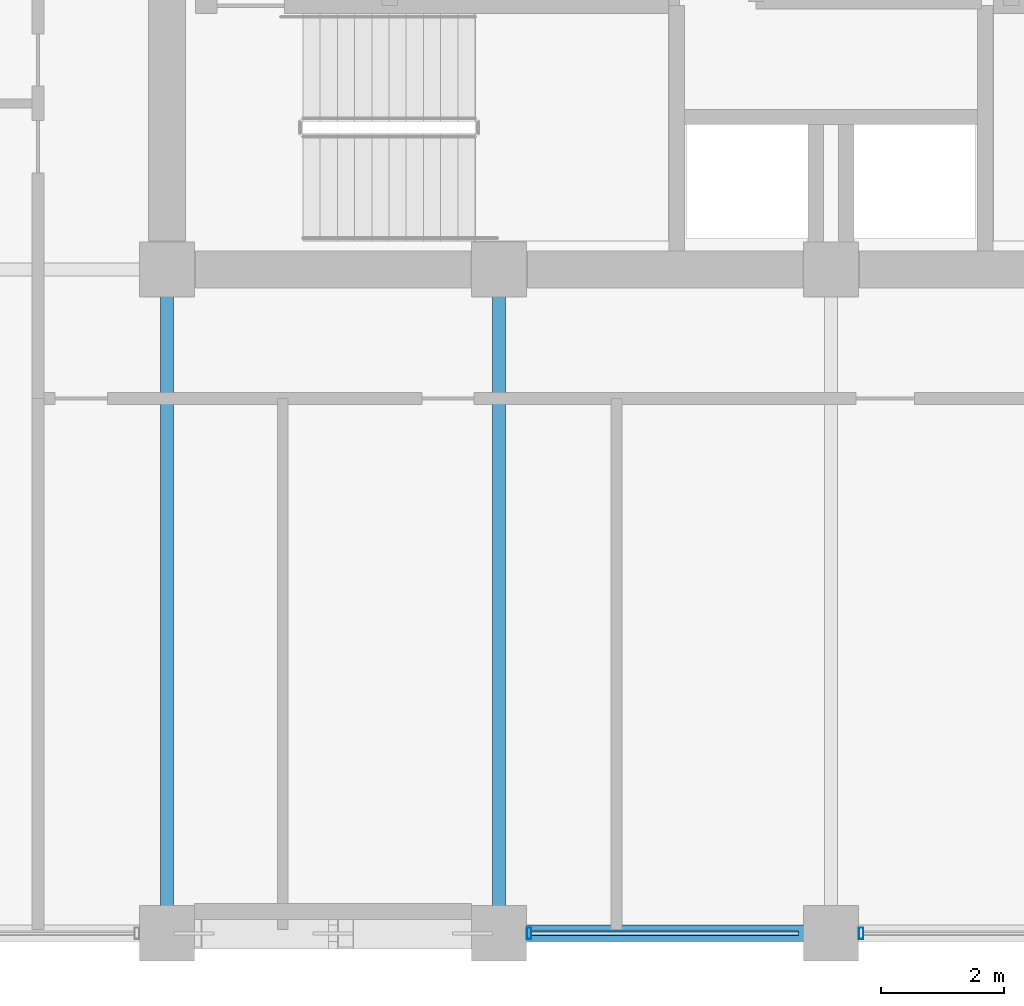
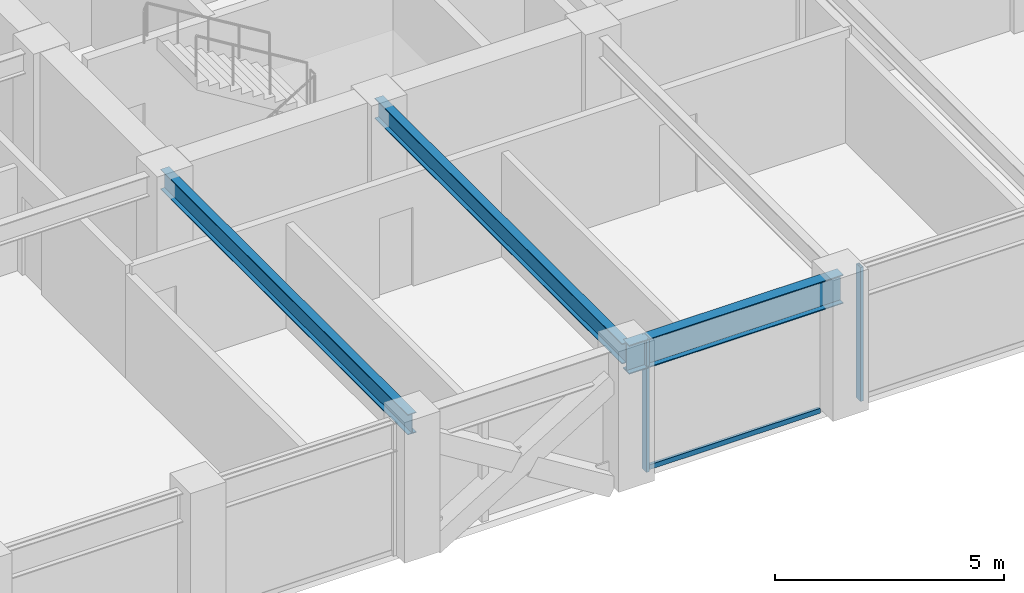
# One storey, part 6 of 32: 3 beams, 3 members, 1 element without a shape of its own.
"""IFC4 building model written with IfcOpenShell, lengths in metres."""

import ifcopenshell
import ifcopenshell.guid

model = None  # the IFC model being written
_history = None  # IfcOwnerHistory: only IFC2X3 demands one
_inside = {}  # id of a spatial element -> (the spatial element, [elements in it])
_under = {}  # id of a project, library or spatial element -> (it, [spatial elements below it])
_declared = {}  # id of a project -> (the project, [libraries it declares])
_typed = {}  # id of a type object -> (the type object, [elements of that type])
_made_of = {}  # id of a material, layer set ... -> (it, [elements and type objects made of it])


def new_model(schema):
    """Start an empty IFC model of exactly this schema.

    Asked for "IFC4X3", IfcOpenShell would pick the latest addendum, in which some entities
    have other attributes; the version numbers below select the first issue.
    IFC2X3 requires an IfcOwnerHistory on every rooted entity: one is made here for all.
    """
    global model, _history
    if schema == "IFC4X3":
        model = ifcopenshell.file(schema_version=(4, 3, 0, 0))
    else:
        model = ifcopenshell.file(schema=schema)
    _inside.clear()
    _under.clear()
    _declared.clear()
    _typed.clear()
    _made_of.clear()
    _history = None
    if model.schema == "IFC2X3":
        org = make("IfcOrganization", Name="unknown")
        user = make(
            "IfcPersonAndOrganization",
            ThePerson=make("IfcPerson", FamilyName="unknown"),
            TheOrganization=org,
        )
        app = make(
            "IfcApplication",
            ApplicationDeveloper=org,
            Version="unknown",
            ApplicationFullName="unknown",
            ApplicationIdentifier="unknown",
        )
        _history = make(
            "IfcOwnerHistory",
            OwningUser=user,
            OwningApplication=app,
            ChangeAction="ADDED",
            CreationDate=0,
        )
    return model


def make(cls, **values):
    """One entity of the class cls with the attributes given. An attribute that is None is left unset."""
    return model.create_entity(
        cls, **{name: value for name, value in values.items() if value is not None}
    )


def rooted(cls, **values):
    """An entity with a GlobalId (a new one), such as an element, a storey or a relation."""
    return make(cls, GlobalId=ifcopenshell.guid.new(), OwnerHistory=_history, **values)


def si_unit(unit_type, name, prefix=None):
    """IfcSIUnit, for example si_unit("LENGTHUNIT", "METRE", prefix="MILLI")."""
    return make("IfcSIUnit", UnitType=unit_type, Prefix=prefix, Name=name)


def assignment(units):
    """IfcUnitAssignment: the units of a project."""
    return None if units is None else make("IfcUnitAssignment", Units=units)


def point(xyz):
    """IfcCartesianPoint."""
    return None if xyz is None else make("IfcCartesianPoint", Coordinates=xyz)


def direction(xyz):
    """IfcDirection."""
    return None if xyz is None else make("IfcDirection", DirectionRatios=xyz)


def frame(location, z_axis=None, x_axis=None):
    """IfcAxis2Placement3D, a coordinate frame: its origin and axes. An axis left out is left unset."""
    return make(
        "IfcAxis2Placement3D",
        Location=point(location),
        Axis=direction(z_axis),
        RefDirection=direction(x_axis),
    )


def frame_2d(location, x_axis=None):
    """IfcAxis2Placement2D, a coordinate frame in the plane: its origin and x axis."""
    return make(
        "IfcAxis2Placement2D", Location=point(location), RefDirection=direction(x_axis)
    )


def origin():
    """The frame at (0, 0, 0) with its axes left unset."""
    return frame((0.0, 0.0, 0.0))


def origin_2d():
    """The frame at (0, 0) in the plane with its x axis left unset."""
    return frame_2d((0.0, 0.0))


def place(relative_to, where):
    """IfcLocalPlacement: puts the frame where relative to a parent placement (None: the world)."""
    return make(
        "IfcLocalPlacement", PlacementRelTo=relative_to, RelativePlacement=where
    )


def context(
    kind, dimensions, precision=None, world=None, true_north=None, identifier=None
):
    """IfcGeometricRepresentationContext, for example the 3D "Model" context."""
    return make(
        "IfcGeometricRepresentationContext",
        ContextIdentifier=identifier,
        ContextType=kind,
        CoordinateSpaceDimension=dimensions,
        Precision=precision,
        WorldCoordinateSystem=world,
        TrueNorth=true_north,
    )


def subcontext(parent, identifier, kind, view, scale=None):
    """IfcGeometricRepresentationSubContext, for example "Body" below "Model"."""
    return make(
        "IfcGeometricRepresentationSubContext",
        ContextIdentifier=identifier,
        ContextType=kind,
        ParentContext=parent,
        TargetScale=scale,
        TargetView=view,
    )


def project(units=None, contexts=None):
    """IfcProject with its units and contexts."""
    return rooted(
        "IfcProject",
        Name="project",
        RepresentationContexts=contexts,
        UnitsInContext=assignment(units),
    )


def spatial(cls, under=None, at=None, **own):
    """A site, building, storey or space (cls), placed at a placement, below another one or the project."""
    s = rooted(cls, ObjectPlacement=at, **own)
    if under is not None:
        _under.setdefault(under.id(), (under, []))[1].append(s)
    return s


def profile(cls, at=None, kind="AREA", **sizes):
    """A parametric profile (cls). Its sizes go by their IFC names, for example OverallWidth=200.0."""
    return make(cls, ProfileType=kind, Position=at, **sizes)


def hollow_rectangle(**sizes):
    """IfcRectangleHollowProfileDef."""
    return profile("IfcRectangleHollowProfileDef", **sizes)


def i_section(**sizes):
    """IfcIShapeProfileDef."""
    return profile("IfcIShapeProfileDef", **sizes)


def extrude(swept, where, along, depth):
    """IfcExtrudedAreaSolid: the profile swept, set in the frame where, extruded along a direction by depth."""
    return make(
        "IfcExtrudedAreaSolid",
        SweptArea=swept,
        Position=where,
        ExtrudedDirection=direction(along),
        Depth=depth,
    )


def shape(context_of_items, identifier, shape_type, items):
    """IfcShapeRepresentation: the items that make up one representation, for example the "Body"."""
    return make(
        "IfcShapeRepresentation",
        ContextOfItems=context_of_items,
        RepresentationIdentifier=identifier,
        RepresentationType=shape_type,
        Items=items,
    )


def material(Name=None, Category=None):
    """IfcMaterial."""
    return make("IfcMaterial", Name=Name, Category=Category)


def layer(
    of_material, thickness, ventilated=None, Name=None, Category=None, Priority=None
):
    """IfcMaterialLayer: one layer of a wall or slab, of a material (None: an air gap)."""
    return make(
        "IfcMaterialLayer",
        Material=of_material,
        LayerThickness=thickness,
        IsVentilated=ventilated,
        Name=Name,
        Category=Category,
        Priority=Priority,
    )


def layer_set(layers, Name=None):
    """IfcMaterialLayerSet."""
    return make("IfcMaterialLayerSet", MaterialLayers=layers, LayerSetName=Name)


def material_profile(
    of_material, cross_section, Name=None, Category=None, Priority=None
):
    """IfcMaterialProfile: a cross section and its material."""
    return make(
        "IfcMaterialProfile",
        Name=Name,
        Material=of_material,
        Profile=cross_section,
        Priority=Priority,
        Category=Category,
    )


def profile_set(profiles, Name=None, composite=None):
    """IfcMaterialProfileSet."""
    return make(
        "IfcMaterialProfileSet",
        Name=Name,
        MaterialProfiles=profiles,
        CompositeProfile=composite,
    )


def made_of(thing, what):
    """Note that an element or type object is made of a material, layer set ...; save() writes the relation."""
    if what is not None:
        _made_of.setdefault(what.id(), (what, []))[1].append(thing)
    return thing


def type_object(cls, material=None, **own):
    """A type object (cls), such as IfcWallType, which elements share."""
    return made_of(rooted(cls, **own), material)


def element(
    cls,
    number,
    at=None,
    inside=None,
    cuts=None,
    type_object=None,
    material=None,
    context=None,
    identifier="Body",
    shape_type=None,
    held_by="IfcProductDefinitionShape",
    body=None,
    shapes=None,
    **own,
):
    """One element of the class cls, such as IfcWall. Its Tag is "e" and its number.

    at: its placement. inside: the storey or other place that contains it. cuts: it is an
    opening in that element (IfcRelVoidsElement). A single representation is given by context,
    identifier, shape_type and body (its items); several are given by shapes. held_by: the class
    of the entity that holds the representations. save() writes the other relations.
    """
    e = rooted(cls, Tag="e%d" % number, ObjectPlacement=at, **own)
    if body is not None:
        shapes = [shape(context, identifier, shape_type, body)]
    if shapes is not None:
        e.Representation = make(held_by, Representations=shapes)
    if inside is not None:
        _inside.setdefault(inside.id(), (inside, []))[1].append(e)
    if cuts is not None:
        rooted(
            "IfcRelVoidsElement", RelatingBuildingElement=cuts, RelatedOpeningElement=e
        )
    if type_object is not None:
        _typed.setdefault(type_object.id(), (type_object, []))[1].append(e)
    return made_of(e, material)


def aggregate(whole, parts):
    """IfcRelAggregates: a whole, such as a stair, and the parts it consists of."""
    return rooted("IfcRelAggregates", RelatingObject=whole, RelatedObjects=parts)


def save(model, path):
    """Write the relations noted so far, then the file.

    IfcRelAggregates (storeys below a building ...), IfcRelContainedInSpatialStructure (elements
    in a storey), IfcRelDefinesByType, IfcRelAssociatesMaterial and IfcRelDeclares: one each for
    every whole, place, type object, material and project.
    """
    for whole, parts in _under.values():
        aggregate(whole, parts)
    for where, things in _inside.values():
        rooted(
            "IfcRelContainedInSpatialStructure",
            RelatedElements=things,
            RelatingStructure=where,
        )
    for kind, things in _typed.values():
        rooted("IfcRelDefinesByType", RelatedObjects=things, RelatingType=kind)
    for what, things in _made_of.values():
        rooted("IfcRelAssociatesMaterial", RelatedObjects=things, RelatingMaterial=what)
    for by, libraries in _declared.values():
        rooted("IfcRelDeclares", RelatingContext=by, RelatedDefinitions=libraries)
    model.write(path)


model = new_model("IFC4")

# Units and contexts
model_context = context("Model", 3, precision=1e-05, world=origin(), true_north=direction((0.0, 1.0)))
body_context = subcontext(model_context, "Body", "Model", "MODEL_VIEW")
ifc_project = project(units=[si_unit("LENGTHUNIT", "METRE"), si_unit("AREAUNIT", "SQUARE_METRE"), si_unit("VOLUMEUNIT", "CUBIC_METRE"), si_unit("PLANEANGLEUNIT", "RADIAN"), si_unit("MASSUNIT", "GRAM", prefix="KILO")], contexts=[model_context])

# Site, building, storey
site_placement = place(None, origin())
site = spatial("IfcSite", under=ifc_project, at=site_placement, CompositionType="ELEMENT")
building_placement = place(site_placement, origin())
building = spatial("IfcBuilding", under=site, at=building_placement, Name="Surkhivell Harbour Commons", CompositionType="ELEMENT")
storey_placement = place(building_placement, frame((0.0, 0.0, 212.25)))
storey = spatial("IfcBuildingStorey", under=building, at=storey_placement, Name="L55", CompositionType="ELEMENT", Elevation=212.25)

# Beams
ifc_material_1 = material(Name="Steel S355", Category="steel")
ifc_material_profile_1 = material_profile(ifc_material_1, i_section(OverallWidth=0.2119140625, OverallDepth=0.5439453125, WebThickness=0.0126953125, FlangeThickness=0.021240234375, at=origin_2d()), Name="UB533x210x122")
ifc_profile_set_1 = profile_set([ifc_material_profile_1], Name="Steel S355")
beam_type_1 = type_object("IfcBeamType", Name="BM-GRD-533A", PredefinedType="BEAM", material=ifc_profile_set_1)
for number, where, z_axis, x_axis, name in (
    (1, (-10.800048828125, -21.60009765625, 3.298095703125), (0.0, 1.0, 0.0), (-1.0, 0.0, 0.0), "L55 Floor Girder (-10.8,-21.6)"),
    (2, (-5.39990234375, -21.60009765625, 3.298095703125), (0.0, 1.0, 0.0), (-1.0, 0.0, 0.0), "L55 Floor Girder (-5.4,-21.6)"),
):
    element("IfcBeam", number, at=place(storey_placement, frame(where, z_axis=z_axis, x_axis=x_axis)), inside=storey, type_object=beam_type_1, Name=name, PredefinedType="BEAM", context=body_context, shape_type="SweptSolid", body=[
        extrude(i_section(OverallWidth=0.2119140625, OverallDepth=0.5439453125, WebThickness=0.0126953125, FlangeThickness=0.021240234375, at=origin_2d()), origin(), (0.0, 0.0, 1.0), 10.800048828125),
    ])
ifc_material_profile_2 = material_profile(ifc_material_1, i_section(OverallWidth=0.26806640625, OverallDepth=0.77001953125, WebThickness=0.015625, FlangeThickness=0.025390625, at=origin_2d()), Name="UB762x267x197")
ifc_profile_set_2 = profile_set([ifc_material_profile_2], Name="Steel S355")
beam_type_2 = type_object("IfcBeamType", Name="BM-SPN-762", PredefinedType="SPANDREL", material=ifc_profile_set_2)
beam_placement = place(storey_placement, frame((-5.39990234375, -21.60009765625, 3.18505859375), z_axis=(1.0, 0.0, 0.0), x_axis=(0.0, 1.0, 0.0)))
element("IfcBeam", 3, at=beam_placement, inside=storey, type_object=beam_type_2, Name="L55 Tube Spandrel (-5.4,-21.6)", PredefinedType="SPANDREL", context=body_context, shape_type="SweptSolid", body=[
    extrude(i_section(OverallWidth=0.26806640625, OverallDepth=0.77001953125, WebThickness=0.015625, FlangeThickness=0.025390625, at=origin_2d()), origin(), (0.0, 0.0, 1.0), 5.39990234375),
])

# Curtain wall, members
ifc_material_2 = material(Name="Anodised pale-metal aluminium and insulated glazing", Category="aluminium")
ifc_layer = layer(ifc_material_2, 0.18994140625)
ifc_layer_set = layer_set([ifc_layer], Name="Anodised pale-metal aluminium and insulated glazing")
curtain_wall_type = type_object("IfcCurtainWallType", Name="CW-SYS-Z3", PredefinedType="NOTDEFINED", material=ifc_layer_set)
curtain_wall_placement = place(storey_placement, origin())
curtain_wall = element("IfcCurtainWall", 4, at=curtain_wall_placement, inside=storey, type_object=curtain_wall_type, Name="L55 Curtain Wall CW-L55-E00S2", PredefinedType="NOTDEFINED")
ifc_material_3 = material(Name="Anodised pale-metal aluminium alloy 6063-T6", Category="aluminium")
ifc_material_profile_3 = material_profile(ifc_material_3, hollow_rectangle(XDim=0.074951171875, YDim=0.18994140625, WallThickness=0.00390625, at=origin_2d()), Name="ALU-MULL-75x190")
ifc_profile_set_3 = profile_set([ifc_material_profile_3], Name="Anodised pale-metal aluminium alloy 6063-T6")
member_type_1 = type_object("IfcMemberType", Name="CWM-190", PredefinedType="MULLION", material=ifc_profile_set_3)
member_1_placement = place(storey_placement, frame((-4.910400390625, -21.60009765625, 0.0), z_axis=(0.0, 0.0, 1.0), x_axis=(1.0, 0.0, 0.0)))
member_1 = element("IfcMember", 5, at=member_1_placement, type_object=member_type_1, Name="CW-Z3 mullion 1", PredefinedType="MULLION", context=body_context, shape_type="SweptSolid", body=[
    extrude(hollow_rectangle(XDim=0.074951171875, YDim=0.18994140625, WallThickness=0.00390625, at=origin_2d()), origin(), (0.0, 0.0, 1.0), 3.570068359375),
])
member_2_placement = place(storey_placement, frame((0.489501953125, -21.60009765625, 0.0), z_axis=(0.0, 0.0, 1.0), x_axis=(1.0, 0.0, 0.0)))
member_2 = element("IfcMember", 6, at=member_2_placement, type_object=member_type_1, Name="CW-Z3 mullion 2", PredefinedType="MULLION", context=body_context, shape_type="SweptSolid", body=[
    extrude(hollow_rectangle(XDim=0.074951171875, YDim=0.18994140625, WallThickness=0.00390625, at=origin_2d()), origin(), (0.0, 0.0, 1.0), 3.570068359375),
])
ifc_material_4 = material(Name="Champagne anodised aluminium alloy 6063-T6", Category="aluminium")
ifc_material_profile_4 = material_profile(ifc_material_4, hollow_rectangle(XDim=0.070068359375, YDim=0.1298828125, WallThickness=0.00341796875, at=origin_2d()), Name="ALU-TRAN-70x130")
ifc_profile_set_4 = profile_set([ifc_material_profile_4], Name="Champagne anodised aluminium alloy 6063-T6")
member_type_2 = type_object("IfcMemberType", Name="CWT-130", PredefinedType="USERDEFINED", material=ifc_profile_set_4)
member_3_placement = place(storey_placement, frame((-4.873046875, -21.60009765625, 0.06494140625), z_axis=(1.0, 0.0, 0.0), x_axis=(0.0, 1.0, 0.0)))
member_3 = element("IfcMember", 7, at=member_3_placement, type_object=member_type_2, Name="CW-Z3 transom 1.1", ObjectType="TRANSOM", PredefinedType="USERDEFINED", context=body_context, shape_type="SweptSolid", body=[
    extrude(hollow_rectangle(XDim=0.070068359375, YDim=0.1298828125, WallThickness=0.00341796875, at=origin_2d()), origin(), (0.0, 0.0, 1.0), 4.345947265625),
])
aggregate(curtain_wall, [member_1, member_3, member_2])

save(model, "model.ifc")
